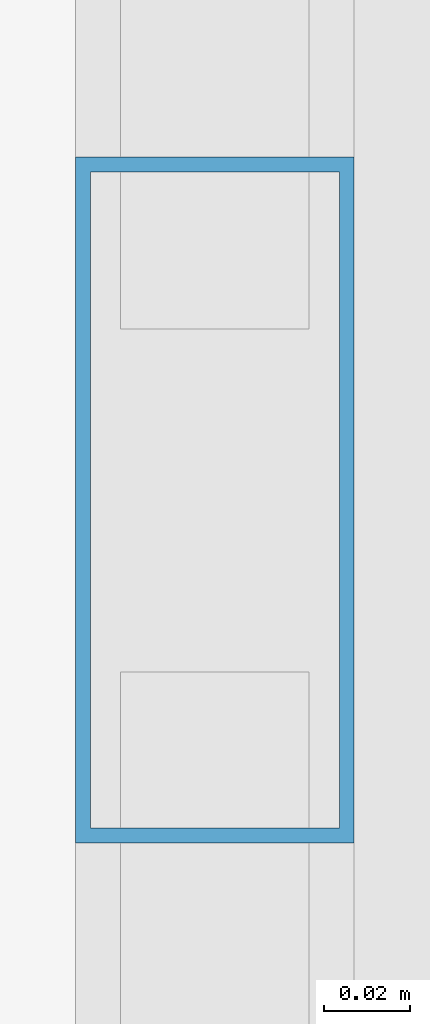
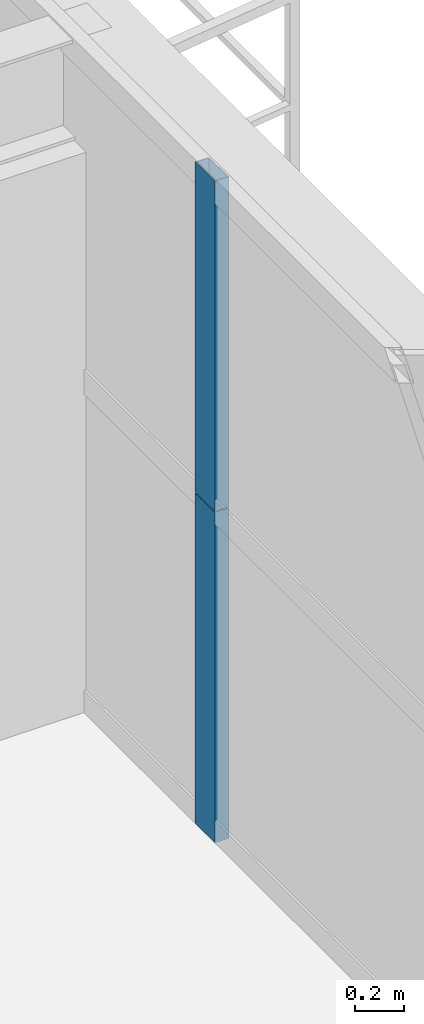
# One storey, part 24 of 45: 2 members, 1 element without a shape of its own.
"""IFC4 building model written with IfcOpenShell, lengths in metres."""

from ifc_helpers import new_model, si_unit, direction, frame, origin, origin_2d, place, context, subcontext, project, spatial, hollow_rectangle, extrude, source, transform, mapped, material, layer, layer_set, material_profile, profile_set, type_object, element, aggregate, save


model = new_model("IFC4")

# Units and contexts
model_context = context("Model", 3, precision=1e-05, world=origin(), true_north=direction((0.0, 1.0)))
body_context = subcontext(model_context, "Body", "Model", "MODEL_VIEW")
ifc_project = project(units=[si_unit("LENGTHUNIT", "METRE"), si_unit("AREAUNIT", "SQUARE_METRE"), si_unit("VOLUMEUNIT", "CUBIC_METRE"), si_unit("PLANEANGLEUNIT", "RADIAN"), si_unit("MASSUNIT", "GRAM", prefix="KILO"), si_unit("THERMODYNAMICTEMPERATUREUNIT", "KELVIN"), si_unit("POWERUNIT", "WATT")], contexts=[model_context])

# Site, building, storey
site_placement = place(None, origin())
site = spatial("IfcSite", under=ifc_project, at=site_placement, CompositionType="ELEMENT")
building_placement = place(site_placement, origin())
building = spatial("IfcBuilding", under=site, at=building_placement, Name="Yuzanri Waterfront Tower", CompositionType="ELEMENT")
storey_placement = place(building_placement, frame((0.0, 0.0, 191.5)))
storey = spatial("IfcBuildingStorey", under=building, at=storey_placement, Name="L50", CompositionType="ELEMENT", Elevation=191.5)

# Curtain wall, members
ifc_material_1 = material(Name="Anodized Architectural Bronze", Category="metal")
ifc_layer = layer(ifc_material_1, 0.159912109375)
ifc_layer_set = layer_set([ifc_layer], Name="Anodized Architectural Bronze")
curtain_wall_type = type_object("IfcCurtainWallType", Name="Anodized Bronze Mid-Rise Residential Acoustic Unitized Curtain Wall 7200", PredefinedType="NOTDEFINED", material=ifc_layer_set)
curtain_wall_placement = place(storey_placement, origin())
curtain_wall = element("IfcCurtainWall", 1, at=curtain_wall_placement, inside=storey, type_object=curtain_wall_type, Name="L50 Curtain Wall CW-L50-EL", PredefinedType="NOTDEFINED")
ifc_material_2 = material(Name="Anodized Architectural Bronze", Category="metal")
ifc_material_profile = material_profile(ifc_material_2, hollow_rectangle(XDim=0.06494140625, YDim=0.159912109375, WallThickness=0.00341796875, at=origin_2d()), Name="CWM 65x160")
ifc_profile_set = profile_set([ifc_material_profile], Name="Anodized Architectural Bronze")
member_type = type_object("IfcMemberType", Name="Anodized Bronze Upper-Zone Curtain-Wall Mullion 65x160", PredefinedType="MULLION", material=ifc_profile_set)
shared_shape = source(origin(), body_context, "Body", "SweptSolid", [
    extrude(hollow_rectangle(XDim=0.06494140625, YDim=0.159912109375, WallThickness=0.00341796875, at=origin_2d()), origin(), (0.0, 0.0, 1.0), 1.637939453125),
])
member_1_placement = place(storey_placement, frame((58.949951171875, 18.22509765625, 0.0), z_axis=(0.0, 0.0, 1.0), x_axis=(1.0, 0.0, 0.0)))
member_1 = element("IfcMember", 2, at=member_1_placement, type_object=member_type, Name="CW-L50-EL Lower Mullion 01", PredefinedType="MULLION", context=body_context, shape_type="MappedRepresentation", body=[
    mapped(shared_shape, transform((0.0, 0.0, 0.0), scale=1.0)),
])
member_2_placement = place(storey_placement, frame((58.949951171875, 18.22509765625, 1.64208984375), z_axis=(0.0, 0.0, 1.0), x_axis=(1.0, 0.0, 0.0)))
member_2 = element("IfcMember", 3, at=member_2_placement, type_object=member_type, Name="CW-L50-EL Upper Mullion 01", PredefinedType="MULLION", context=body_context, shape_type="MappedRepresentation", body=[
    mapped(shared_shape, transform((0.0, 0.0, 0.0), scale=1.0)),
])
aggregate(curtain_wall, [member_1, member_2])

save(model, "model.ifc")
